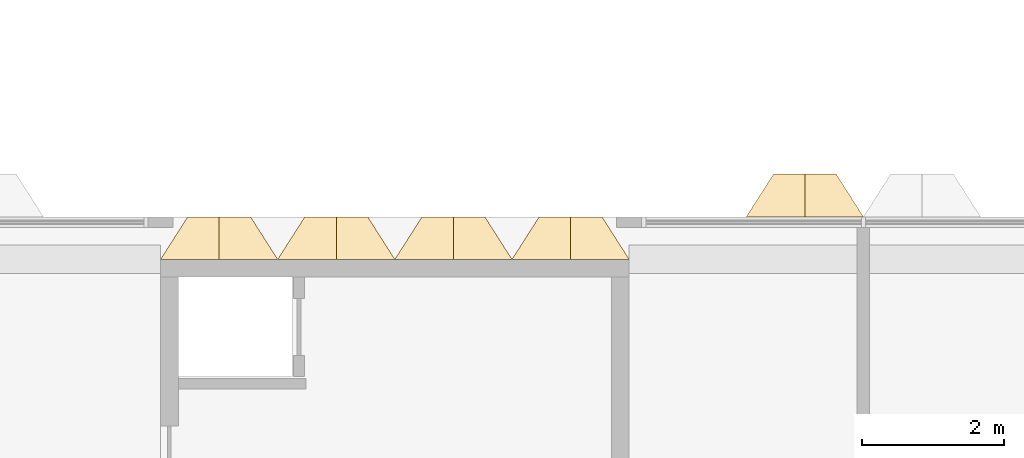
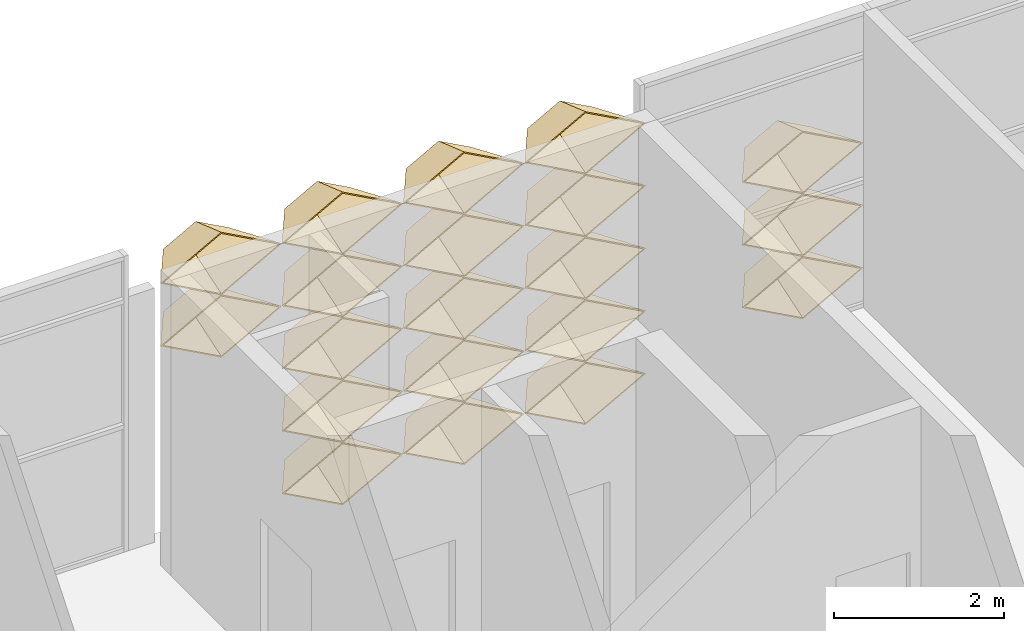
# One storey, part 43 of 61: 20 coverings.
"""IFC4 building model written with IfcOpenShell, lengths in metres."""

from ifc_helpers import new_model, entity, si_unit, direction, frame, origin, place, context, subcontext, project, spatial, material, layer, layer_set, type_object, element, save


model = new_model("IFC4")

# Units and contexts
model_context = context("Model", 3, precision=1e-05, world=origin(), true_north=direction((0.0, 1.0)))
body_context = subcontext(model_context, "Body", "Model", "MODEL_VIEW")
ifc_project = project(units=[si_unit("LENGTHUNIT", "METRE"), si_unit("AREAUNIT", "SQUARE_METRE"), si_unit("VOLUMEUNIT", "CUBIC_METRE"), si_unit("PLANEANGLEUNIT", "RADIAN"), si_unit("MASSUNIT", "GRAM", prefix="KILO")], contexts=[model_context])

# Site, building, storey
site_placement = place(None, origin())
site = spatial("IfcSite", under=ifc_project, at=site_placement, CompositionType="ELEMENT")
building_placement = place(site_placement, origin())
building = spatial("IfcBuilding", under=site, at=building_placement, Name="Lantern Court Research Institute", CompositionType="ELEMENT")
storey_placement = place(building_placement, frame((0.0, 0.0, 23.39990234375)))
storey = spatial("IfcBuildingStorey", under=building, at=storey_placement, Name="L05", CompositionType="ELEMENT", Elevation=23.39990234375)

# Coverings
ifc_material = material(Name="Anodised aluminium", Category="aluminium")
ifc_layer = layer(ifc_material, 0.01611328125)
ifc_layer_set = layer_set([ifc_layer], Name="Anodised aluminium")
covering_type = type_object("IfcCoveringType", Name="Fin cassette 1650 x 900 x 600 aluminium", PredefinedType="CLADDING", material=ifc_layer_set)
covering_1_placement = place(storey_placement, frame((22.27490234375, 23.10009765625, 0.4501953125), z_axis=(0.0, 1.0, 0.0), x_axis=(-1.0, 0.0, 0.0)))
cartesian_point_1 = entity("IfcCartesianPoint", [0.824951171875, 0.0])
cartesian_point_2 = entity("IfcCartesianPoint", [0.79150390625, 0.0])
cartesian_point_3 = entity("IfcCartesianPoint", [0.44189453125, 0.0])
cartesian_point_4 = entity("IfcCartesianPoint", [0.43359375, 0.0])
element("IfcCovering", 1, at=covering_1_placement, inside=storey, type_object=covering_type, Name="Fin cassette V4N-L05 1.14", PredefinedType="CLADDING", context=body_context, shape_type="SweptSolid", body=[
    entity("IfcExtrudedAreaSolidTapered", entity("IfcArbitraryProfileDefWithVoids", "AREA", None, entity("IfcPolyline", [cartesian_point_1, entity("IfcCartesianPoint", [0.0, 0.449951171875]), entity("IfcCartesianPoint", [-0.824951171875, 0.0]), entity("IfcCartesianPoint", [0.0, -0.449951171875]), cartesian_point_1]), [entity("IfcPolyline", [cartesian_point_2, entity("IfcCartesianPoint", [0.0, 0.431884765625]), entity("IfcCartesianPoint", [-0.79150390625, 0.0]), entity("IfcCartesianPoint", [0.0, -0.431884765625]), cartesian_point_2])]), entity("IfcAxis2Placement3D", entity("IfcCartesianPoint", [0.0, 0.0, 0.0])), entity("IfcDirection", [0.0, 0.0, 1.0]), 0.60009765625, entity("IfcArbitraryProfileDefWithVoids", "AREA", None, entity("IfcPolyline", [cartesian_point_3, entity("IfcCartesianPoint", [0.0, 0.240966796875]), entity("IfcCartesianPoint", [-0.44189453125, 0.0]), entity("IfcCartesianPoint", [0.0, -0.240966796875]), cartesian_point_3]), [entity("IfcPolyline", [cartesian_point_4, entity("IfcCartesianPoint", [0.0, 0.236572265625]), entity("IfcCartesianPoint", [-0.43359375, 0.0]), entity("IfcCartesianPoint", [0.0, -0.236572265625]), cartesian_point_4])])),
])
covering_2_placement = place(storey_placement, frame((23.925048828125, 23.10009765625, 0.4501953125), z_axis=(0.0, 1.0, 0.0), x_axis=(-1.0, 0.0, 0.0)))
cartesian_point_5 = entity("IfcCartesianPoint", [0.824951171875, 0.0])
cartesian_point_6 = entity("IfcCartesianPoint", [0.79150390625, 0.0])
cartesian_point_7 = entity("IfcCartesianPoint", [0.44189453125, 0.0])
cartesian_point_8 = entity("IfcCartesianPoint", [0.43359375, 0.0])
element("IfcCovering", 2, at=covering_2_placement, inside=storey, type_object=covering_type, Name="Fin cassette V4N-L05 1.15", PredefinedType="CLADDING", context=body_context, shape_type="SweptSolid", body=[
    entity("IfcExtrudedAreaSolidTapered", entity("IfcArbitraryProfileDefWithVoids", "AREA", None, entity("IfcPolyline", [cartesian_point_5, entity("IfcCartesianPoint", [0.0, 0.449951171875]), entity("IfcCartesianPoint", [-0.824951171875, 0.0]), entity("IfcCartesianPoint", [0.0, -0.449951171875]), cartesian_point_5]), [entity("IfcPolyline", [cartesian_point_6, entity("IfcCartesianPoint", [0.0, 0.431884765625]), entity("IfcCartesianPoint", [-0.79150390625, 0.0]), entity("IfcCartesianPoint", [0.0, -0.431884765625]), cartesian_point_6])]), entity("IfcAxis2Placement3D", entity("IfcCartesianPoint", [0.0, 0.0, 0.0])), entity("IfcDirection", [0.0, 0.0, 1.0]), 0.60009765625, entity("IfcArbitraryProfileDefWithVoids", "AREA", None, entity("IfcPolyline", [cartesian_point_7, entity("IfcCartesianPoint", [0.0, 0.240966796875]), entity("IfcCartesianPoint", [-0.44189453125, 0.0]), entity("IfcCartesianPoint", [0.0, -0.240966796875]), cartesian_point_7]), [entity("IfcPolyline", [cartesian_point_8, entity("IfcCartesianPoint", [0.0, 0.236572265625]), entity("IfcCartesianPoint", [-0.43359375, 0.0]), entity("IfcCartesianPoint", [0.0, -0.236572265625]), cartesian_point_8])])),
])
covering_3_placement = place(storey_placement, frame((25.574951171875, 23.10009765625, 0.4501953125), z_axis=(0.0, 1.0, 0.0), x_axis=(-1.0, 0.0, 0.0)))
cartesian_point_9 = entity("IfcCartesianPoint", [0.824951171875, 0.0])
cartesian_point_10 = entity("IfcCartesianPoint", [0.79150390625, 0.0])
cartesian_point_11 = entity("IfcCartesianPoint", [0.44189453125, 0.0])
cartesian_point_12 = entity("IfcCartesianPoint", [0.43359375, 0.0])
element("IfcCovering", 3, at=covering_3_placement, inside=storey, type_object=covering_type, Name="Fin cassette V4N-L05 1.16", PredefinedType="CLADDING", context=body_context, shape_type="SweptSolid", body=[
    entity("IfcExtrudedAreaSolidTapered", entity("IfcArbitraryProfileDefWithVoids", "AREA", None, entity("IfcPolyline", [cartesian_point_9, entity("IfcCartesianPoint", [0.0, 0.449951171875]), entity("IfcCartesianPoint", [-0.824951171875, 0.0]), entity("IfcCartesianPoint", [0.0, -0.449951171875]), cartesian_point_9]), [entity("IfcPolyline", [cartesian_point_10, entity("IfcCartesianPoint", [0.0, 0.431884765625]), entity("IfcCartesianPoint", [-0.79150390625, 0.0]), entity("IfcCartesianPoint", [0.0, -0.431884765625]), cartesian_point_10])]), entity("IfcAxis2Placement3D", entity("IfcCartesianPoint", [0.0, 0.0, 0.0])), entity("IfcDirection", [0.0, 0.0, 1.0]), 0.60009765625, entity("IfcArbitraryProfileDefWithVoids", "AREA", None, entity("IfcPolyline", [cartesian_point_11, entity("IfcCartesianPoint", [0.0, 0.240966796875]), entity("IfcCartesianPoint", [-0.44189453125, 0.0]), entity("IfcCartesianPoint", [0.0, -0.240966796875]), cartesian_point_11]), [entity("IfcPolyline", [cartesian_point_12, entity("IfcCartesianPoint", [0.0, 0.236572265625]), entity("IfcCartesianPoint", [-0.43359375, 0.0]), entity("IfcCartesianPoint", [0.0, -0.236572265625]), cartesian_point_12])])),
])
covering_4_placement = place(storey_placement, frame((22.27490234375, 23.10009765625, 1.35009765625), z_axis=(0.0, 1.0, 0.0), x_axis=(-1.0, 0.0, 0.0)))
cartesian_point_13 = entity("IfcCartesianPoint", [0.824951171875, 0.0])
cartesian_point_14 = entity("IfcCartesianPoint", [0.79150390625, 0.0])
cartesian_point_15 = entity("IfcCartesianPoint", [0.44189453125, 0.0])
cartesian_point_16 = entity("IfcCartesianPoint", [0.43359375, 0.0])
element("IfcCovering", 4, at=covering_4_placement, inside=storey, type_object=covering_type, Name="Fin cassette V4N-L05 2.14", PredefinedType="CLADDING", context=body_context, shape_type="SweptSolid", body=[
    entity("IfcExtrudedAreaSolidTapered", entity("IfcArbitraryProfileDefWithVoids", "AREA", None, entity("IfcPolyline", [cartesian_point_13, entity("IfcCartesianPoint", [0.0, 0.449951171875]), entity("IfcCartesianPoint", [-0.824951171875, 0.0]), entity("IfcCartesianPoint", [0.0, -0.449951171875]), cartesian_point_13]), [entity("IfcPolyline", [cartesian_point_14, entity("IfcCartesianPoint", [0.0, 0.431884765625]), entity("IfcCartesianPoint", [-0.79150390625, 0.0]), entity("IfcCartesianPoint", [0.0, -0.431884765625]), cartesian_point_14])]), entity("IfcAxis2Placement3D", entity("IfcCartesianPoint", [0.0, 0.0, 0.0])), entity("IfcDirection", [0.0, 0.0, 1.0]), 0.60009765625, entity("IfcArbitraryProfileDefWithVoids", "AREA", None, entity("IfcPolyline", [cartesian_point_15, entity("IfcCartesianPoint", [0.0, 0.240966796875]), entity("IfcCartesianPoint", [-0.44189453125, 0.0]), entity("IfcCartesianPoint", [0.0, -0.240966796875]), cartesian_point_15]), [entity("IfcPolyline", [cartesian_point_16, entity("IfcCartesianPoint", [0.0, 0.236572265625]), entity("IfcCartesianPoint", [-0.43359375, 0.0]), entity("IfcCartesianPoint", [0.0, -0.236572265625]), cartesian_point_16])])),
])
covering_5_placement = place(storey_placement, frame((23.925048828125, 23.10009765625, 1.35009765625), z_axis=(0.0, 1.0, 0.0), x_axis=(-1.0, 0.0, 0.0)))
cartesian_point_17 = entity("IfcCartesianPoint", [0.824951171875, 0.0])
cartesian_point_18 = entity("IfcCartesianPoint", [0.79150390625, 0.0])
cartesian_point_19 = entity("IfcCartesianPoint", [0.44189453125, 0.0])
cartesian_point_20 = entity("IfcCartesianPoint", [0.43359375, 0.0])
element("IfcCovering", 5, at=covering_5_placement, inside=storey, type_object=covering_type, Name="Fin cassette V4N-L05 2.15", PredefinedType="CLADDING", context=body_context, shape_type="SweptSolid", body=[
    entity("IfcExtrudedAreaSolidTapered", entity("IfcArbitraryProfileDefWithVoids", "AREA", None, entity("IfcPolyline", [cartesian_point_17, entity("IfcCartesianPoint", [0.0, 0.449951171875]), entity("IfcCartesianPoint", [-0.824951171875, 0.0]), entity("IfcCartesianPoint", [0.0, -0.449951171875]), cartesian_point_17]), [entity("IfcPolyline", [cartesian_point_18, entity("IfcCartesianPoint", [0.0, 0.431884765625]), entity("IfcCartesianPoint", [-0.79150390625, 0.0]), entity("IfcCartesianPoint", [0.0, -0.431884765625]), cartesian_point_18])]), entity("IfcAxis2Placement3D", entity("IfcCartesianPoint", [0.0, 0.0, 0.0])), entity("IfcDirection", [0.0, 0.0, 1.0]), 0.60009765625, entity("IfcArbitraryProfileDefWithVoids", "AREA", None, entity("IfcPolyline", [cartesian_point_19, entity("IfcCartesianPoint", [0.0, 0.240966796875]), entity("IfcCartesianPoint", [-0.44189453125, 0.0]), entity("IfcCartesianPoint", [0.0, -0.240966796875]), cartesian_point_19]), [entity("IfcPolyline", [cartesian_point_20, entity("IfcCartesianPoint", [0.0, 0.236572265625]), entity("IfcCartesianPoint", [-0.43359375, 0.0]), entity("IfcCartesianPoint", [0.0, -0.236572265625]), cartesian_point_20])])),
])
covering_6_placement = place(storey_placement, frame((25.574951171875, 23.10009765625, 1.35009765625), z_axis=(0.0, 1.0, 0.0), x_axis=(-1.0, 0.0, 0.0)))
cartesian_point_21 = entity("IfcCartesianPoint", [0.824951171875, 0.0])
cartesian_point_22 = entity("IfcCartesianPoint", [0.79150390625, 0.0])
cartesian_point_23 = entity("IfcCartesianPoint", [0.44189453125, 0.0])
cartesian_point_24 = entity("IfcCartesianPoint", [0.43359375, 0.0])
element("IfcCovering", 6, at=covering_6_placement, inside=storey, type_object=covering_type, Name="Fin cassette V4N-L05 2.16", PredefinedType="CLADDING", context=body_context, shape_type="SweptSolid", body=[
    entity("IfcExtrudedAreaSolidTapered", entity("IfcArbitraryProfileDefWithVoids", "AREA", None, entity("IfcPolyline", [cartesian_point_21, entity("IfcCartesianPoint", [0.0, 0.449951171875]), entity("IfcCartesianPoint", [-0.824951171875, 0.0]), entity("IfcCartesianPoint", [0.0, -0.449951171875]), cartesian_point_21]), [entity("IfcPolyline", [cartesian_point_22, entity("IfcCartesianPoint", [0.0, 0.431884765625]), entity("IfcCartesianPoint", [-0.79150390625, 0.0]), entity("IfcCartesianPoint", [0.0, -0.431884765625]), cartesian_point_22])]), entity("IfcAxis2Placement3D", entity("IfcCartesianPoint", [0.0, 0.0, 0.0])), entity("IfcDirection", [0.0, 0.0, 1.0]), 0.60009765625, entity("IfcArbitraryProfileDefWithVoids", "AREA", None, entity("IfcPolyline", [cartesian_point_23, entity("IfcCartesianPoint", [0.0, 0.240966796875]), entity("IfcCartesianPoint", [-0.44189453125, 0.0]), entity("IfcCartesianPoint", [0.0, -0.240966796875]), cartesian_point_23]), [entity("IfcPolyline", [cartesian_point_24, entity("IfcCartesianPoint", [0.0, 0.236572265625]), entity("IfcCartesianPoint", [-0.43359375, 0.0]), entity("IfcCartesianPoint", [0.0, -0.236572265625]), cartesian_point_24])])),
])
covering_7_placement = place(storey_placement, frame((22.27490234375, 23.10009765625, 2.25), z_axis=(0.0, 1.0, 0.0), x_axis=(-1.0, 0.0, 0.0)))
cartesian_point_25 = entity("IfcCartesianPoint", [0.824951171875, 0.0])
cartesian_point_26 = entity("IfcCartesianPoint", [0.79150390625, 0.0])
cartesian_point_27 = entity("IfcCartesianPoint", [0.44189453125, 0.0])
cartesian_point_28 = entity("IfcCartesianPoint", [0.43359375, 0.0])
element("IfcCovering", 7, at=covering_7_placement, inside=storey, type_object=covering_type, Name="Fin cassette V4N-L05 3.14", PredefinedType="CLADDING", context=body_context, shape_type="SweptSolid", body=[
    entity("IfcExtrudedAreaSolidTapered", entity("IfcArbitraryProfileDefWithVoids", "AREA", None, entity("IfcPolyline", [cartesian_point_25, entity("IfcCartesianPoint", [0.0, 0.449951171875]), entity("IfcCartesianPoint", [-0.824951171875, 0.0]), entity("IfcCartesianPoint", [0.0, -0.449951171875]), cartesian_point_25]), [entity("IfcPolyline", [cartesian_point_26, entity("IfcCartesianPoint", [0.0, 0.431884765625]), entity("IfcCartesianPoint", [-0.79150390625, 0.0]), entity("IfcCartesianPoint", [0.0, -0.431884765625]), cartesian_point_26])]), entity("IfcAxis2Placement3D", entity("IfcCartesianPoint", [0.0, 0.0, 0.0])), entity("IfcDirection", [0.0, 0.0, 1.0]), 0.60009765625, entity("IfcArbitraryProfileDefWithVoids", "AREA", None, entity("IfcPolyline", [cartesian_point_27, entity("IfcCartesianPoint", [0.0, 0.240966796875]), entity("IfcCartesianPoint", [-0.44189453125, 0.0]), entity("IfcCartesianPoint", [0.0, -0.240966796875]), cartesian_point_27]), [entity("IfcPolyline", [cartesian_point_28, entity("IfcCartesianPoint", [0.0, 0.236572265625]), entity("IfcCartesianPoint", [-0.43359375, 0.0]), entity("IfcCartesianPoint", [0.0, -0.236572265625]), cartesian_point_28])])),
])
covering_8_placement = place(storey_placement, frame((23.925048828125, 23.10009765625, 2.25), z_axis=(0.0, 1.0, 0.0), x_axis=(-1.0, 0.0, 0.0)))
cartesian_point_29 = entity("IfcCartesianPoint", [0.824951171875, 0.0])
cartesian_point_30 = entity("IfcCartesianPoint", [0.79150390625, 0.0])
cartesian_point_31 = entity("IfcCartesianPoint", [0.44189453125, 0.0])
cartesian_point_32 = entity("IfcCartesianPoint", [0.43359375, 0.0])
element("IfcCovering", 8, at=covering_8_placement, inside=storey, type_object=covering_type, Name="Fin cassette V4N-L05 3.15", PredefinedType="CLADDING", context=body_context, shape_type="SweptSolid", body=[
    entity("IfcExtrudedAreaSolidTapered", entity("IfcArbitraryProfileDefWithVoids", "AREA", None, entity("IfcPolyline", [cartesian_point_29, entity("IfcCartesianPoint", [0.0, 0.449951171875]), entity("IfcCartesianPoint", [-0.824951171875, 0.0]), entity("IfcCartesianPoint", [0.0, -0.449951171875]), cartesian_point_29]), [entity("IfcPolyline", [cartesian_point_30, entity("IfcCartesianPoint", [0.0, 0.431884765625]), entity("IfcCartesianPoint", [-0.79150390625, 0.0]), entity("IfcCartesianPoint", [0.0, -0.431884765625]), cartesian_point_30])]), entity("IfcAxis2Placement3D", entity("IfcCartesianPoint", [0.0, 0.0, 0.0])), entity("IfcDirection", [0.0, 0.0, 1.0]), 0.60009765625, entity("IfcArbitraryProfileDefWithVoids", "AREA", None, entity("IfcPolyline", [cartesian_point_31, entity("IfcCartesianPoint", [0.0, 0.240966796875]), entity("IfcCartesianPoint", [-0.44189453125, 0.0]), entity("IfcCartesianPoint", [0.0, -0.240966796875]), cartesian_point_31]), [entity("IfcPolyline", [cartesian_point_32, entity("IfcCartesianPoint", [0.0, 0.236572265625]), entity("IfcCartesianPoint", [-0.43359375, 0.0]), entity("IfcCartesianPoint", [0.0, -0.236572265625]), cartesian_point_32])])),
])
covering_9_placement = place(storey_placement, frame((25.574951171875, 23.10009765625, 2.25), z_axis=(0.0, 1.0, 0.0), x_axis=(-1.0, 0.0, 0.0)))
cartesian_point_33 = entity("IfcCartesianPoint", [0.824951171875, 0.0])
cartesian_point_34 = entity("IfcCartesianPoint", [0.79150390625, 0.0])
cartesian_point_35 = entity("IfcCartesianPoint", [0.44189453125, 0.0])
cartesian_point_36 = entity("IfcCartesianPoint", [0.43359375, 0.0])
element("IfcCovering", 9, at=covering_9_placement, inside=storey, type_object=covering_type, Name="Fin cassette V4N-L05 3.16", PredefinedType="CLADDING", context=body_context, shape_type="SweptSolid", body=[
    entity("IfcExtrudedAreaSolidTapered", entity("IfcArbitraryProfileDefWithVoids", "AREA", None, entity("IfcPolyline", [cartesian_point_33, entity("IfcCartesianPoint", [0.0, 0.449951171875]), entity("IfcCartesianPoint", [-0.824951171875, 0.0]), entity("IfcCartesianPoint", [0.0, -0.449951171875]), cartesian_point_33]), [entity("IfcPolyline", [cartesian_point_34, entity("IfcCartesianPoint", [0.0, 0.431884765625]), entity("IfcCartesianPoint", [-0.79150390625, 0.0]), entity("IfcCartesianPoint", [0.0, -0.431884765625]), cartesian_point_34])]), entity("IfcAxis2Placement3D", entity("IfcCartesianPoint", [0.0, 0.0, 0.0])), entity("IfcDirection", [0.0, 0.0, 1.0]), 0.60009765625, entity("IfcArbitraryProfileDefWithVoids", "AREA", None, entity("IfcPolyline", [cartesian_point_35, entity("IfcCartesianPoint", [0.0, 0.240966796875]), entity("IfcCartesianPoint", [-0.44189453125, 0.0]), entity("IfcCartesianPoint", [0.0, -0.240966796875]), cartesian_point_35]), [entity("IfcPolyline", [cartesian_point_36, entity("IfcCartesianPoint", [0.0, 0.236572265625]), entity("IfcCartesianPoint", [-0.43359375, 0.0]), entity("IfcCartesianPoint", [0.0, -0.236572265625]), cartesian_point_36])])),
])
covering_10_placement = place(storey_placement, frame((20.625, 23.10009765625, 3.150146484375), z_axis=(0.0, 1.0, 0.0), x_axis=(-1.0, 0.0, 0.0)))
cartesian_point_37 = entity("IfcCartesianPoint", [0.824951171875, 0.0])
cartesian_point_38 = entity("IfcCartesianPoint", [0.79150390625, 0.0])
cartesian_point_39 = entity("IfcCartesianPoint", [0.44189453125, 0.0])
cartesian_point_40 = entity("IfcCartesianPoint", [0.43359375, 0.0])
element("IfcCovering", 10, at=covering_10_placement, inside=storey, type_object=covering_type, Name="Fin cassette V4N-L05 4.13", PredefinedType="CLADDING", context=body_context, shape_type="SweptSolid", body=[
    entity("IfcExtrudedAreaSolidTapered", entity("IfcArbitraryProfileDefWithVoids", "AREA", None, entity("IfcPolyline", [cartesian_point_37, entity("IfcCartesianPoint", [0.0, 0.449951171875]), entity("IfcCartesianPoint", [-0.824951171875, 0.0]), entity("IfcCartesianPoint", [0.0, -0.449951171875]), cartesian_point_37]), [entity("IfcPolyline", [cartesian_point_38, entity("IfcCartesianPoint", [0.0, 0.431884765625]), entity("IfcCartesianPoint", [-0.79150390625, 0.0]), entity("IfcCartesianPoint", [0.0, -0.431884765625]), cartesian_point_38])]), entity("IfcAxis2Placement3D", entity("IfcCartesianPoint", [0.0, 0.0, 0.0])), entity("IfcDirection", [0.0, 0.0, 1.0]), 0.60009765625, entity("IfcArbitraryProfileDefWithVoids", "AREA", None, entity("IfcPolyline", [cartesian_point_39, entity("IfcCartesianPoint", [0.0, 0.240966796875]), entity("IfcCartesianPoint", [-0.44189453125, 0.0]), entity("IfcCartesianPoint", [0.0, -0.240966796875]), cartesian_point_39]), [entity("IfcPolyline", [cartesian_point_40, entity("IfcCartesianPoint", [0.0, 0.236572265625]), entity("IfcCartesianPoint", [-0.43359375, 0.0]), entity("IfcCartesianPoint", [0.0, -0.236572265625]), cartesian_point_40])])),
])
covering_11_placement = place(storey_placement, frame((22.27490234375, 23.10009765625, 3.150146484375), z_axis=(0.0, 1.0, 0.0), x_axis=(-1.0, 0.0, 0.0)))
cartesian_point_41 = entity("IfcCartesianPoint", [0.824951171875, 0.0])
cartesian_point_42 = entity("IfcCartesianPoint", [0.79150390625, 0.0])
cartesian_point_43 = entity("IfcCartesianPoint", [0.44189453125, 0.0])
cartesian_point_44 = entity("IfcCartesianPoint", [0.43359375, 0.0])
element("IfcCovering", 11, at=covering_11_placement, inside=storey, type_object=covering_type, Name="Fin cassette V4N-L05 4.14", PredefinedType="CLADDING", context=body_context, shape_type="SweptSolid", body=[
    entity("IfcExtrudedAreaSolidTapered", entity("IfcArbitraryProfileDefWithVoids", "AREA", None, entity("IfcPolyline", [cartesian_point_41, entity("IfcCartesianPoint", [0.0, 0.449951171875]), entity("IfcCartesianPoint", [-0.824951171875, 0.0]), entity("IfcCartesianPoint", [0.0, -0.449951171875]), cartesian_point_41]), [entity("IfcPolyline", [cartesian_point_42, entity("IfcCartesianPoint", [0.0, 0.431884765625]), entity("IfcCartesianPoint", [-0.79150390625, 0.0]), entity("IfcCartesianPoint", [0.0, -0.431884765625]), cartesian_point_42])]), entity("IfcAxis2Placement3D", entity("IfcCartesianPoint", [0.0, 0.0, 0.0])), entity("IfcDirection", [0.0, 0.0, 1.0]), 0.60009765625, entity("IfcArbitraryProfileDefWithVoids", "AREA", None, entity("IfcPolyline", [cartesian_point_43, entity("IfcCartesianPoint", [0.0, 0.240966796875]), entity("IfcCartesianPoint", [-0.44189453125, 0.0]), entity("IfcCartesianPoint", [0.0, -0.240966796875]), cartesian_point_43]), [entity("IfcPolyline", [cartesian_point_44, entity("IfcCartesianPoint", [0.0, 0.236572265625]), entity("IfcCartesianPoint", [-0.43359375, 0.0]), entity("IfcCartesianPoint", [0.0, -0.236572265625]), cartesian_point_44])])),
])
covering_12_placement = place(storey_placement, frame((23.925048828125, 23.10009765625, 3.150146484375), z_axis=(0.0, 1.0, 0.0), x_axis=(-1.0, 0.0, 0.0)))
cartesian_point_45 = entity("IfcCartesianPoint", [0.824951171875, 0.0])
cartesian_point_46 = entity("IfcCartesianPoint", [0.79150390625, 0.0])
cartesian_point_47 = entity("IfcCartesianPoint", [0.44189453125, 0.0])
cartesian_point_48 = entity("IfcCartesianPoint", [0.43359375, 0.0])
element("IfcCovering", 12, at=covering_12_placement, inside=storey, type_object=covering_type, Name="Fin cassette V4N-L05 4.15", PredefinedType="CLADDING", context=body_context, shape_type="SweptSolid", body=[
    entity("IfcExtrudedAreaSolidTapered", entity("IfcArbitraryProfileDefWithVoids", "AREA", None, entity("IfcPolyline", [cartesian_point_45, entity("IfcCartesianPoint", [0.0, 0.449951171875]), entity("IfcCartesianPoint", [-0.824951171875, 0.0]), entity("IfcCartesianPoint", [0.0, -0.449951171875]), cartesian_point_45]), [entity("IfcPolyline", [cartesian_point_46, entity("IfcCartesianPoint", [0.0, 0.431884765625]), entity("IfcCartesianPoint", [-0.79150390625, 0.0]), entity("IfcCartesianPoint", [0.0, -0.431884765625]), cartesian_point_46])]), entity("IfcAxis2Placement3D", entity("IfcCartesianPoint", [0.0, 0.0, 0.0])), entity("IfcDirection", [0.0, 0.0, 1.0]), 0.60009765625, entity("IfcArbitraryProfileDefWithVoids", "AREA", None, entity("IfcPolyline", [cartesian_point_47, entity("IfcCartesianPoint", [0.0, 0.240966796875]), entity("IfcCartesianPoint", [-0.44189453125, 0.0]), entity("IfcCartesianPoint", [0.0, -0.240966796875]), cartesian_point_47]), [entity("IfcPolyline", [cartesian_point_48, entity("IfcCartesianPoint", [0.0, 0.236572265625]), entity("IfcCartesianPoint", [-0.43359375, 0.0]), entity("IfcCartesianPoint", [0.0, -0.236572265625]), cartesian_point_48])])),
])
covering_13_placement = place(storey_placement, frame((25.574951171875, 23.10009765625, 3.150146484375), z_axis=(0.0, 1.0, 0.0), x_axis=(-1.0, 0.0, 0.0)))
cartesian_point_49 = entity("IfcCartesianPoint", [0.824951171875, 0.0])
cartesian_point_50 = entity("IfcCartesianPoint", [0.79150390625, 0.0])
cartesian_point_51 = entity("IfcCartesianPoint", [0.44189453125, 0.0])
cartesian_point_52 = entity("IfcCartesianPoint", [0.43359375, 0.0])
element("IfcCovering", 13, at=covering_13_placement, inside=storey, type_object=covering_type, Name="Fin cassette V4N-L05 4.16", PredefinedType="CLADDING", context=body_context, shape_type="SweptSolid", body=[
    entity("IfcExtrudedAreaSolidTapered", entity("IfcArbitraryProfileDefWithVoids", "AREA", None, entity("IfcPolyline", [cartesian_point_49, entity("IfcCartesianPoint", [0.0, 0.449951171875]), entity("IfcCartesianPoint", [-0.824951171875, 0.0]), entity("IfcCartesianPoint", [0.0, -0.449951171875]), cartesian_point_49]), [entity("IfcPolyline", [cartesian_point_50, entity("IfcCartesianPoint", [0.0, 0.431884765625]), entity("IfcCartesianPoint", [-0.79150390625, 0.0]), entity("IfcCartesianPoint", [0.0, -0.431884765625]), cartesian_point_50])]), entity("IfcAxis2Placement3D", entity("IfcCartesianPoint", [0.0, 0.0, 0.0])), entity("IfcDirection", [0.0, 0.0, 1.0]), 0.60009765625, entity("IfcArbitraryProfileDefWithVoids", "AREA", None, entity("IfcPolyline", [cartesian_point_51, entity("IfcCartesianPoint", [0.0, 0.240966796875]), entity("IfcCartesianPoint", [-0.44189453125, 0.0]), entity("IfcCartesianPoint", [0.0, -0.240966796875]), cartesian_point_51]), [entity("IfcPolyline", [cartesian_point_52, entity("IfcCartesianPoint", [0.0, 0.236572265625]), entity("IfcCartesianPoint", [-0.43359375, 0.0]), entity("IfcCartesianPoint", [0.0, -0.236572265625]), cartesian_point_52])])),
])
covering_14_placement = place(storey_placement, frame((20.625, 23.10009765625, 4.050048828125), z_axis=(0.0, 1.0, 0.0), x_axis=(-1.0, 0.0, 0.0)))
cartesian_point_53 = entity("IfcCartesianPoint", [0.824951171875, 0.0])
cartesian_point_54 = entity("IfcCartesianPoint", [0.79150390625, 0.0])
cartesian_point_55 = entity("IfcCartesianPoint", [0.44189453125, 0.0])
cartesian_point_56 = entity("IfcCartesianPoint", [0.43359375, 0.0])
element("IfcCovering", 14, at=covering_14_placement, inside=storey, type_object=covering_type, Name="Fin cassette V4N-L05 5.13", PredefinedType="CLADDING", context=body_context, shape_type="SweptSolid", body=[
    entity("IfcExtrudedAreaSolidTapered", entity("IfcArbitraryProfileDefWithVoids", "AREA", None, entity("IfcPolyline", [cartesian_point_53, entity("IfcCartesianPoint", [0.0, 0.449951171875]), entity("IfcCartesianPoint", [-0.824951171875, 0.0]), entity("IfcCartesianPoint", [0.0, -0.449951171875]), cartesian_point_53]), [entity("IfcPolyline", [cartesian_point_54, entity("IfcCartesianPoint", [0.0, 0.431884765625]), entity("IfcCartesianPoint", [-0.79150390625, 0.0]), entity("IfcCartesianPoint", [0.0, -0.431884765625]), cartesian_point_54])]), entity("IfcAxis2Placement3D", entity("IfcCartesianPoint", [0.0, 0.0, 0.0])), entity("IfcDirection", [0.0, 0.0, 1.0]), 0.60009765625, entity("IfcArbitraryProfileDefWithVoids", "AREA", None, entity("IfcPolyline", [cartesian_point_55, entity("IfcCartesianPoint", [0.0, 0.240966796875]), entity("IfcCartesianPoint", [-0.44189453125, 0.0]), entity("IfcCartesianPoint", [0.0, -0.240966796875]), cartesian_point_55]), [entity("IfcPolyline", [cartesian_point_56, entity("IfcCartesianPoint", [0.0, 0.236572265625]), entity("IfcCartesianPoint", [-0.43359375, 0.0]), entity("IfcCartesianPoint", [0.0, -0.236572265625]), cartesian_point_56])])),
])
covering_15_placement = place(storey_placement, frame((22.27490234375, 23.10009765625, 4.050048828125), z_axis=(0.0, 1.0, 0.0), x_axis=(-1.0, 0.0, 0.0)))
cartesian_point_57 = entity("IfcCartesianPoint", [0.824951171875, 0.0])
cartesian_point_58 = entity("IfcCartesianPoint", [0.79150390625, 0.0])
cartesian_point_59 = entity("IfcCartesianPoint", [0.44189453125, 0.0])
cartesian_point_60 = entity("IfcCartesianPoint", [0.43359375, 0.0])
element("IfcCovering", 15, at=covering_15_placement, inside=storey, type_object=covering_type, Name="Fin cassette V4N-L05 5.14", PredefinedType="CLADDING", context=body_context, shape_type="SweptSolid", body=[
    entity("IfcExtrudedAreaSolidTapered", entity("IfcArbitraryProfileDefWithVoids", "AREA", None, entity("IfcPolyline", [cartesian_point_57, entity("IfcCartesianPoint", [0.0, 0.449951171875]), entity("IfcCartesianPoint", [-0.824951171875, 0.0]), entity("IfcCartesianPoint", [0.0, -0.449951171875]), cartesian_point_57]), [entity("IfcPolyline", [cartesian_point_58, entity("IfcCartesianPoint", [0.0, 0.431884765625]), entity("IfcCartesianPoint", [-0.79150390625, 0.0]), entity("IfcCartesianPoint", [0.0, -0.431884765625]), cartesian_point_58])]), entity("IfcAxis2Placement3D", entity("IfcCartesianPoint", [0.0, 0.0, 0.0])), entity("IfcDirection", [0.0, 0.0, 1.0]), 0.60009765625, entity("IfcArbitraryProfileDefWithVoids", "AREA", None, entity("IfcPolyline", [cartesian_point_59, entity("IfcCartesianPoint", [0.0, 0.240966796875]), entity("IfcCartesianPoint", [-0.44189453125, 0.0]), entity("IfcCartesianPoint", [0.0, -0.240966796875]), cartesian_point_59]), [entity("IfcPolyline", [cartesian_point_60, entity("IfcCartesianPoint", [0.0, 0.236572265625]), entity("IfcCartesianPoint", [-0.43359375, 0.0]), entity("IfcCartesianPoint", [0.0, -0.236572265625]), cartesian_point_60])])),
])
covering_16_placement = place(storey_placement, frame((23.925048828125, 23.10009765625, 4.050048828125), z_axis=(0.0, 1.0, 0.0), x_axis=(-1.0, 0.0, 0.0)))
cartesian_point_61 = entity("IfcCartesianPoint", [0.824951171875, 0.0])
cartesian_point_62 = entity("IfcCartesianPoint", [0.79150390625, 0.0])
cartesian_point_63 = entity("IfcCartesianPoint", [0.44189453125, 0.0])
cartesian_point_64 = entity("IfcCartesianPoint", [0.43359375, 0.0])
element("IfcCovering", 16, at=covering_16_placement, inside=storey, type_object=covering_type, Name="Fin cassette V4N-L05 5.15", PredefinedType="CLADDING", context=body_context, shape_type="SweptSolid", body=[
    entity("IfcExtrudedAreaSolidTapered", entity("IfcArbitraryProfileDefWithVoids", "AREA", None, entity("IfcPolyline", [cartesian_point_61, entity("IfcCartesianPoint", [0.0, 0.449951171875]), entity("IfcCartesianPoint", [-0.824951171875, 0.0]), entity("IfcCartesianPoint", [0.0, -0.449951171875]), cartesian_point_61]), [entity("IfcPolyline", [cartesian_point_62, entity("IfcCartesianPoint", [0.0, 0.431884765625]), entity("IfcCartesianPoint", [-0.79150390625, 0.0]), entity("IfcCartesianPoint", [0.0, -0.431884765625]), cartesian_point_62])]), entity("IfcAxis2Placement3D", entity("IfcCartesianPoint", [0.0, 0.0, 0.0])), entity("IfcDirection", [0.0, 0.0, 1.0]), 0.60009765625, entity("IfcArbitraryProfileDefWithVoids", "AREA", None, entity("IfcPolyline", [cartesian_point_63, entity("IfcCartesianPoint", [0.0, 0.240966796875]), entity("IfcCartesianPoint", [-0.44189453125, 0.0]), entity("IfcCartesianPoint", [0.0, -0.240966796875]), cartesian_point_63]), [entity("IfcPolyline", [cartesian_point_64, entity("IfcCartesianPoint", [0.0, 0.236572265625]), entity("IfcCartesianPoint", [-0.43359375, 0.0]), entity("IfcCartesianPoint", [0.0, -0.236572265625]), cartesian_point_64])])),
])
covering_17_placement = place(storey_placement, frame((25.574951171875, 23.10009765625, 4.050048828125), z_axis=(0.0, 1.0, 0.0), x_axis=(-1.0, 0.0, 0.0)))
cartesian_point_65 = entity("IfcCartesianPoint", [0.824951171875, 0.0])
cartesian_point_66 = entity("IfcCartesianPoint", [0.79150390625, 0.0])
cartesian_point_67 = entity("IfcCartesianPoint", [0.44189453125, 0.0])
cartesian_point_68 = entity("IfcCartesianPoint", [0.43359375, 0.0])
element("IfcCovering", 17, at=covering_17_placement, inside=storey, type_object=covering_type, Name="Fin cassette V4N-L05 5.16", PredefinedType="CLADDING", context=body_context, shape_type="SweptSolid", body=[
    entity("IfcExtrudedAreaSolidTapered", entity("IfcArbitraryProfileDefWithVoids", "AREA", None, entity("IfcPolyline", [cartesian_point_65, entity("IfcCartesianPoint", [0.0, 0.449951171875]), entity("IfcCartesianPoint", [-0.824951171875, 0.0]), entity("IfcCartesianPoint", [0.0, -0.449951171875]), cartesian_point_65]), [entity("IfcPolyline", [cartesian_point_66, entity("IfcCartesianPoint", [0.0, 0.431884765625]), entity("IfcCartesianPoint", [-0.79150390625, 0.0]), entity("IfcCartesianPoint", [0.0, -0.431884765625]), cartesian_point_66])]), entity("IfcAxis2Placement3D", entity("IfcCartesianPoint", [0.0, 0.0, 0.0])), entity("IfcDirection", [0.0, 0.0, 1.0]), 0.60009765625, entity("IfcArbitraryProfileDefWithVoids", "AREA", None, entity("IfcPolyline", [cartesian_point_67, entity("IfcCartesianPoint", [0.0, 0.240966796875]), entity("IfcCartesianPoint", [-0.44189453125, 0.0]), entity("IfcCartesianPoint", [0.0, -0.240966796875]), cartesian_point_67]), [entity("IfcPolyline", [cartesian_point_68, entity("IfcCartesianPoint", [0.0, 0.236572265625]), entity("IfcCartesianPoint", [-0.43359375, 0.0]), entity("IfcCartesianPoint", [0.0, -0.236572265625]), cartesian_point_68])])),
])
covering_18_placement = place(storey_placement, frame((28.875, 23.699951171875, 0.4501953125), z_axis=(0.0, 1.0, 0.0), x_axis=(-1.0, 0.0, 0.0)))
cartesian_point_69 = entity("IfcCartesianPoint", [0.824951171875, 0.0])
cartesian_point_70 = entity("IfcCartesianPoint", [0.79150390625, 0.0])
cartesian_point_71 = entity("IfcCartesianPoint", [0.44189453125, 0.0])
cartesian_point_72 = entity("IfcCartesianPoint", [0.43359375, 0.0])
element("IfcCovering", 18, at=covering_18_placement, inside=storey, type_object=covering_type, Name="Fin cassette V4N-L05 1.18", PredefinedType="CLADDING", context=body_context, shape_type="SweptSolid", body=[
    entity("IfcExtrudedAreaSolidTapered", entity("IfcArbitraryProfileDefWithVoids", "AREA", None, entity("IfcPolyline", [cartesian_point_69, entity("IfcCartesianPoint", [0.0, 0.449951171875]), entity("IfcCartesianPoint", [-0.824951171875, 0.0]), entity("IfcCartesianPoint", [0.0, -0.449951171875]), cartesian_point_69]), [entity("IfcPolyline", [cartesian_point_70, entity("IfcCartesianPoint", [0.0, 0.431884765625]), entity("IfcCartesianPoint", [-0.79150390625, 0.0]), entity("IfcCartesianPoint", [0.0, -0.431884765625]), cartesian_point_70])]), entity("IfcAxis2Placement3D", entity("IfcCartesianPoint", [0.0, 0.0, 0.0])), entity("IfcDirection", [0.0, 0.0, 1.0]), 0.60009765625, entity("IfcArbitraryProfileDefWithVoids", "AREA", None, entity("IfcPolyline", [cartesian_point_71, entity("IfcCartesianPoint", [0.0, 0.240966796875]), entity("IfcCartesianPoint", [-0.44189453125, 0.0]), entity("IfcCartesianPoint", [0.0, -0.240966796875]), cartesian_point_71]), [entity("IfcPolyline", [cartesian_point_72, entity("IfcCartesianPoint", [0.0, 0.236572265625]), entity("IfcCartesianPoint", [-0.43359375, 0.0]), entity("IfcCartesianPoint", [0.0, -0.236572265625]), cartesian_point_72])])),
])
covering_19_placement = place(storey_placement, frame((28.875, 23.699951171875, 1.35009765625), z_axis=(0.0, 1.0, 0.0), x_axis=(-1.0, 0.0, 0.0)))
cartesian_point_73 = entity("IfcCartesianPoint", [0.824951171875, 0.0])
cartesian_point_74 = entity("IfcCartesianPoint", [0.79150390625, 0.0])
cartesian_point_75 = entity("IfcCartesianPoint", [0.44189453125, 0.0])
cartesian_point_76 = entity("IfcCartesianPoint", [0.43359375, 0.0])
element("IfcCovering", 19, at=covering_19_placement, inside=storey, type_object=covering_type, Name="Fin cassette V4N-L05 2.18", PredefinedType="CLADDING", context=body_context, shape_type="SweptSolid", body=[
    entity("IfcExtrudedAreaSolidTapered", entity("IfcArbitraryProfileDefWithVoids", "AREA", None, entity("IfcPolyline", [cartesian_point_73, entity("IfcCartesianPoint", [0.0, 0.449951171875]), entity("IfcCartesianPoint", [-0.824951171875, 0.0]), entity("IfcCartesianPoint", [0.0, -0.449951171875]), cartesian_point_73]), [entity("IfcPolyline", [cartesian_point_74, entity("IfcCartesianPoint", [0.0, 0.431884765625]), entity("IfcCartesianPoint", [-0.79150390625, 0.0]), entity("IfcCartesianPoint", [0.0, -0.431884765625]), cartesian_point_74])]), entity("IfcAxis2Placement3D", entity("IfcCartesianPoint", [0.0, 0.0, 0.0])), entity("IfcDirection", [0.0, 0.0, 1.0]), 0.60009765625, entity("IfcArbitraryProfileDefWithVoids", "AREA", None, entity("IfcPolyline", [cartesian_point_75, entity("IfcCartesianPoint", [0.0, 0.240966796875]), entity("IfcCartesianPoint", [-0.44189453125, 0.0]), entity("IfcCartesianPoint", [0.0, -0.240966796875]), cartesian_point_75]), [entity("IfcPolyline", [cartesian_point_76, entity("IfcCartesianPoint", [0.0, 0.236572265625]), entity("IfcCartesianPoint", [-0.43359375, 0.0]), entity("IfcCartesianPoint", [0.0, -0.236572265625]), cartesian_point_76])])),
])
covering_20_placement = place(storey_placement, frame((28.875, 23.699951171875, 2.25), z_axis=(0.0, 1.0, 0.0), x_axis=(-1.0, 0.0, 0.0)))
cartesian_point_77 = entity("IfcCartesianPoint", [0.824951171875, 0.0])
cartesian_point_78 = entity("IfcCartesianPoint", [0.79150390625, 0.0])
cartesian_point_79 = entity("IfcCartesianPoint", [0.44189453125, 0.0])
cartesian_point_80 = entity("IfcCartesianPoint", [0.43359375, 0.0])
element("IfcCovering", 20, at=covering_20_placement, inside=storey, type_object=covering_type, Name="Fin cassette V4N-L05 3.18", PredefinedType="CLADDING", context=body_context, shape_type="SweptSolid", body=[
    entity("IfcExtrudedAreaSolidTapered", entity("IfcArbitraryProfileDefWithVoids", "AREA", None, entity("IfcPolyline", [cartesian_point_77, entity("IfcCartesianPoint", [0.0, 0.449951171875]), entity("IfcCartesianPoint", [-0.824951171875, 0.0]), entity("IfcCartesianPoint", [0.0, -0.449951171875]), cartesian_point_77]), [entity("IfcPolyline", [cartesian_point_78, entity("IfcCartesianPoint", [0.0, 0.431884765625]), entity("IfcCartesianPoint", [-0.79150390625, 0.0]), entity("IfcCartesianPoint", [0.0, -0.431884765625]), cartesian_point_78])]), entity("IfcAxis2Placement3D", entity("IfcCartesianPoint", [0.0, 0.0, 0.0])), entity("IfcDirection", [0.0, 0.0, 1.0]), 0.60009765625, entity("IfcArbitraryProfileDefWithVoids", "AREA", None, entity("IfcPolyline", [cartesian_point_79, entity("IfcCartesianPoint", [0.0, 0.240966796875]), entity("IfcCartesianPoint", [-0.44189453125, 0.0]), entity("IfcCartesianPoint", [0.0, -0.240966796875]), cartesian_point_79]), [entity("IfcPolyline", [cartesian_point_80, entity("IfcCartesianPoint", [0.0, 0.236572265625]), entity("IfcCartesianPoint", [-0.43359375, 0.0]), entity("IfcCartesianPoint", [0.0, -0.236572265625]), cartesian_point_80])])),
])

save(model, "model.ifc")
